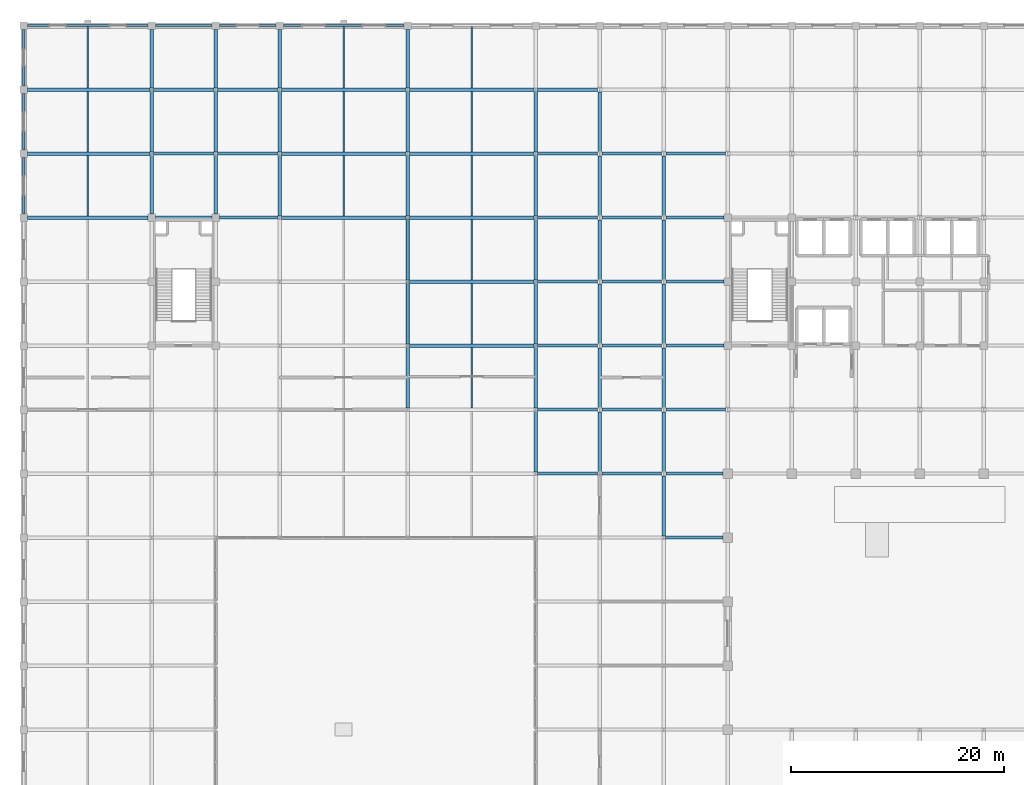
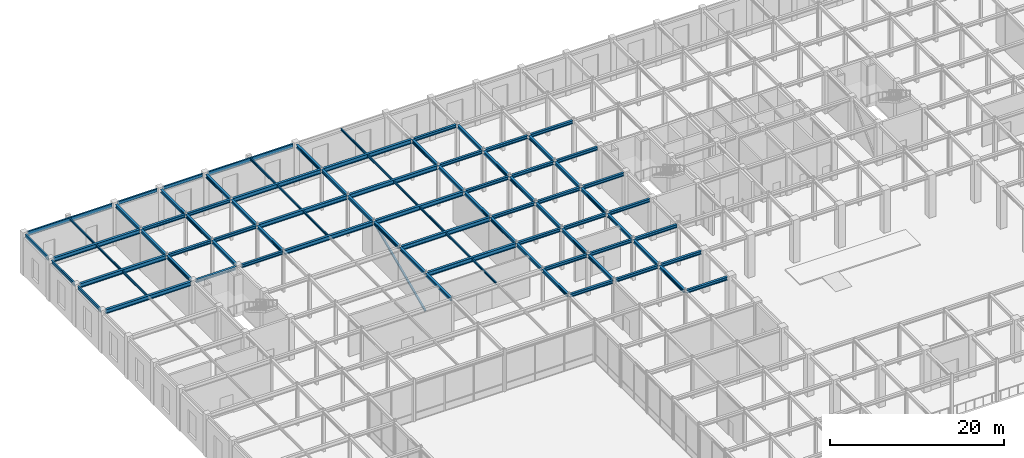
# One storey, part 75 of 108: 89 beams, 1 member.
"""IFC4 building model written with IfcOpenShell, lengths in metres."""

from ifc_helpers import new_model, si_unit, direction, frame, origin, origin_2d, place, context, subcontext, project, spatial, hollow_rectangle, i_section, extrude, material, material_profile, profile_set, type_object, element, save


model = new_model("IFC4")

# Units and contexts
model_context = context("Model", 3, precision=1e-05, world=origin(), true_north=direction((0.0, 1.0)))
body_context = subcontext(model_context, "Body", "Model", "MODEL_VIEW")
ifc_project = project(units=[si_unit("LENGTHUNIT", "METRE"), si_unit("AREAUNIT", "SQUARE_METRE"), si_unit("VOLUMEUNIT", "CUBIC_METRE"), si_unit("PLANEANGLEUNIT", "RADIAN"), si_unit("MASSUNIT", "GRAM", prefix="KILO")], contexts=[model_context])

# Site, building, storey
site_placement = place(None, origin())
site = spatial("IfcSite", under=ifc_project, at=site_placement, CompositionType="ELEMENT")
building_placement = place(site_placement, origin())
building = spatial("IfcBuilding", under=site, at=building_placement, Name="Zlatovratsky Civic Hall", CompositionType="ELEMENT")
storey_placement = place(building_placement, frame((0.0, 0.0, 6.0)))
storey = spatial("IfcBuildingStorey", under=building, at=storey_placement, Name="L02", CompositionType="ELEMENT", Elevation=6.0)

# Beams
ifc_material = material(Name="Steel S355", Category="steel")
ifc_material_profile_1 = material_profile(ifc_material, i_section(OverallWidth=0.320068359375, OverallDepth=0.58203125, WebThickness=0.011962890625, FlangeThickness=0.01708984375, FilletRadius=0.02392578125, at=origin_2d()), Name="60Sh1")
ifc_profile_set_1 = profile_set([ifc_material_profile_1], Name="Steel S355")
beam_type_1 = type_object("IfcBeamType", Name="Beam_PodiumGirder_60Sh1", PredefinedType="BEAM", material=ifc_profile_set_1)
for number, where, z_axis, x_axis, name in (
    (1, (36.14990234375, 84.0, 5.468994140625), (1.0, 0.0, 0.0), (0.0, 1.0, 0.0), "BM-1933"),
    (2, (36.14990234375, 90.0, 5.468994140625), (1.0, 0.0, 0.0), (0.0, 1.0, 0.0), "BM-1954"),
):
    element("IfcBeam", number, at=place(storey_placement, frame(where, z_axis=z_axis, x_axis=x_axis)), inside=storey, type_object=beam_type_1, Name=name, PredefinedType="BEAM", context=body_context, shape_type="SweptSolid", body=[
        extrude(i_section(OverallWidth=0.320068359375, OverallDepth=0.58203125, WebThickness=0.011962890625, FlangeThickness=0.01708984375, FilletRadius=0.02392578125, at=origin_2d()), origin(), (0.0, 0.0, 1.0), 11.7001953125),
    ])
beam_1_placement = place(storey_placement, frame((0.35009765625, 96.0, 5.468994140625), z_axis=(1.0, 0.0, 0.0), x_axis=(0.0, 1.0, 0.0)))
element("IfcBeam", 3, at=beam_1_placement, inside=storey, type_object=beam_type_1, Name="BM-1969", PredefinedType="BEAM", context=body_context, shape_type="SweptSolid", body=[
    extrude(i_section(OverallWidth=0.320068359375, OverallDepth=0.58203125, WebThickness=0.011962890625, FlangeThickness=0.01708984375, FilletRadius=0.02392578125, at=origin_2d()), origin(), (0.0, 0.0, 1.0), 11.2998046875),
])
for number, where, z_axis, x_axis, name in (
    (4, (24.14990234375, 96.0, 5.468994140625), (1.0, 0.0, 0.0), (0.0, 1.0, 0.0), "BM-1972"),
    (5, (36.14990234375, 96.0, 5.468994140625), (1.0, 0.0, 0.0), (0.0, 1.0, 0.0), "BM-1973"),
):
    element("IfcBeam", number, at=place(storey_placement, frame(where, z_axis=z_axis, x_axis=x_axis)), inside=storey, type_object=beam_type_1, Name=name, PredefinedType="BEAM", context=body_context, shape_type="SweptSolid", body=[
        extrude(i_section(OverallWidth=0.320068359375, OverallDepth=0.58203125, WebThickness=0.011962890625, FlangeThickness=0.01708984375, FilletRadius=0.02392578125, at=origin_2d()), origin(), (0.0, 0.0, 1.0), 11.7001953125),
    ])
beam_2_placement = place(storey_placement, frame((0.35009765625, 102.0, 5.468994140625), z_axis=(1.0, 0.0, 0.0), x_axis=(0.0, 1.0, 0.0)))
element("IfcBeam", 6, at=beam_2_placement, inside=storey, type_object=beam_type_1, Name="BM-1991", PredefinedType="BEAM", context=body_context, shape_type="SweptSolid", body=[
    extrude(i_section(OverallWidth=0.320068359375, OverallDepth=0.58203125, WebThickness=0.011962890625, FlangeThickness=0.01708984375, FilletRadius=0.02392578125, at=origin_2d()), origin(), (0.0, 0.0, 1.0), 11.5),
])
for number, where, z_axis, x_axis, name in (
    (7, (24.14990234375, 102.0, 5.468994140625), (1.0, 0.0, 0.0), (0.0, 1.0, 0.0), "BM-1994"),
    (8, (36.14990234375, 102.0, 5.468994140625), (1.0, 0.0, 0.0), (0.0, 1.0, 0.0), "BM-1995"),
):
    element("IfcBeam", number, at=place(storey_placement, frame(where, z_axis=z_axis, x_axis=x_axis)), inside=storey, type_object=beam_type_1, Name=name, PredefinedType="BEAM", context=body_context, shape_type="SweptSolid", body=[
        extrude(i_section(OverallWidth=0.320068359375, OverallDepth=0.58203125, WebThickness=0.011962890625, FlangeThickness=0.01708984375, FilletRadius=0.02392578125, at=origin_2d()), origin(), (0.0, 0.0, 1.0), 11.7001953125),
    ])
beam_3_placement = place(storey_placement, frame((0.35009765625, 108.0, 5.468994140625), z_axis=(1.0, 0.0, 0.0), x_axis=(0.0, 1.0, 0.0)))
element("IfcBeam", 9, at=beam_3_placement, inside=storey, type_object=beam_type_1, Name="BM-2013", PredefinedType="BEAM", context=body_context, shape_type="SweptSolid", body=[
    extrude(i_section(OverallWidth=0.320068359375, OverallDepth=0.58203125, WebThickness=0.011962890625, FlangeThickness=0.01708984375, FilletRadius=0.02392578125, at=origin_2d()), origin(), (0.0, 0.0, 1.0), 11.5),
])
for number, where, z_axis, x_axis, name in (
    (10, (24.14990234375, 108.0, 5.468994140625), (1.0, 0.0, 0.0), (0.0, 1.0, 0.0), "BM-2016"),
    (11, (36.14990234375, 108.0, 5.468994140625), (1.0, 0.0, 0.0), (0.0, 1.0, 0.0), "BM-2017"),
):
    element("IfcBeam", number, at=place(storey_placement, frame(where, z_axis=z_axis, x_axis=x_axis)), inside=storey, type_object=beam_type_1, Name=name, PredefinedType="BEAM", context=body_context, shape_type="SweptSolid", body=[
        extrude(i_section(OverallWidth=0.320068359375, OverallDepth=0.58203125, WebThickness=0.011962890625, FlangeThickness=0.01708984375, FilletRadius=0.02392578125, at=origin_2d()), origin(), (0.0, 0.0, 1.0), 11.7001953125),
    ])
ifc_material_profile_2 = material_profile(ifc_material, i_section(OverallWidth=0.198974609375, OverallDepth=0.491943359375, WebThickness=0.0087890625, FlangeThickness=0.011962890625, FilletRadius=0.01611328125, at=origin_2d()), Name="50B1")
ifc_profile_set_2 = profile_set([ifc_material_profile_2], Name="Steel S355")
beam_type_2 = type_object("IfcBeamType", Name="Beam_Spandrel_50B1", PredefinedType="SPANDREL", material=ifc_profile_set_2)
for number, where, z_axis, x_axis, name in (
    (12, (12.35009765625, 114.0, 5.513916015625), (1.0, 0.0, 0.0), (0.0, 1.0, 0.0), "BM-2036"),
    (13, (18.35009765625, 114.0, 5.513916015625), (1.0, 0.0, 0.0), (0.0, 1.0, 0.0), "BM-2037"),
    (14, (0.0, 96.35009765625, 5.513916015625), (0.0, 1.0, 0.0), (-1.0, 0.0, 0.0), "BM-2071"),
    (15, (0.0, 102.35009765625, 5.513916015625), (0.0, 1.0, 0.0), (-1.0, 0.0, 0.0), "BM-2072"),
    (16, (0.0, 108.35009765625, 5.513916015625), (0.0, 1.0, 0.0), (-1.0, 0.0, 0.0), "BM-2073"),
):
    element("IfcBeam", number, at=place(storey_placement, frame(where, z_axis=z_axis, x_axis=x_axis)), inside=storey, type_object=beam_type_2, Name=name, PredefinedType="SPANDREL", context=body_context, shape_type="SweptSolid", body=[
        extrude(i_section(OverallWidth=0.198974609375, OverallDepth=0.491943359375, WebThickness=0.0087890625, FlangeThickness=0.011962890625, FilletRadius=0.01611328125, at=origin_2d()), origin(), (0.0, 0.0, 1.0), 5.2998046875),
    ])
ifc_material_profile_3 = material_profile(ifc_material, i_section(OverallWidth=0.198974609375, OverallDepth=0.593017578125, WebThickness=0.010498046875, FlangeThickness=0.014892578125, FilletRadius=0.01806640625, at=origin_2d()), Name="60B1")
ifc_profile_set_3 = profile_set([ifc_material_profile_3], Name="Steel S355")
beam_type_3 = type_object("IfcBeamType", Name="Beam_Spandrel_60B1", PredefinedType="SPANDREL", material=ifc_profile_set_3)
for number, where, z_axis, x_axis, name in (
    (17, (0.35009765625, 114.0, 5.46337890625), (1.0, 0.0, 0.0), (0.0, 1.0, 0.0), "BM-2035"),
    (18, (24.35009765625, 114.0, 5.46337890625), (1.0, 0.0, 0.0), (0.0, 1.0, 0.0), "BM-2038"),
):
    element("IfcBeam", number, at=place(storey_placement, frame(where, z_axis=z_axis, x_axis=x_axis)), inside=storey, type_object=beam_type_3, Name=name, PredefinedType="SPANDREL", context=body_context, shape_type="SweptSolid", body=[
        extrude(i_section(OverallWidth=0.198974609375, OverallDepth=0.593017578125, WebThickness=0.010498046875, FlangeThickness=0.014892578125, FilletRadius=0.01806640625, at=origin_2d()), origin(), (0.0, 0.0, 1.0), 11.2998046875),
    ])
ifc_material_profile_4 = material_profile(ifc_material, i_section(OverallWidth=0.300048828125, OverallDepth=0.43994140625, WebThickness=0.010986328125, FlangeThickness=0.01806640625, FilletRadius=0.02197265625, at=origin_2d()), Name="45Sh1")
ifc_profile_set_4 = profile_set([ifc_material_profile_4], Name="Steel S355")
beam_type_4 = type_object("IfcBeamType", Name="Beam_TowerLow_45Sh1", PredefinedType="BEAM", material=ifc_profile_set_4)
beam_4_placement = place(storey_placement, frame((60.14990234375, 66.0, 5.5400390625), z_axis=(1.0, 0.0, 0.0), x_axis=(0.0, 1.0, 0.0)))
element("IfcBeam", 19, at=beam_4_placement, inside=storey, type_object=beam_type_4, Name="BM-1876", PredefinedType="BEAM", context=body_context, shape_type="SweptSolid", body=[
    extrude(i_section(OverallWidth=0.300048828125, OverallDepth=0.43994140625, WebThickness=0.010986328125, FlangeThickness=0.01806640625, FilletRadius=0.02197265625, at=origin_2d()), origin(), (0.0, 0.0, 1.0), 5.400146484375),
])
beam_5_placement = place(storey_placement, frame((48.14990234375, 72.0, 5.5400390625), z_axis=(1.0, 0.0, 0.0), x_axis=(0.0, 1.0, 0.0)))
element("IfcBeam", 20, at=beam_5_placement, inside=storey, type_object=beam_type_4, Name="BM-1890", PredefinedType="BEAM", context=body_context, shape_type="SweptSolid", body=[
    extrude(i_section(OverallWidth=0.300048828125, OverallDepth=0.43994140625, WebThickness=0.010986328125, FlangeThickness=0.01806640625, FilletRadius=0.02197265625, at=origin_2d()), origin(), (0.0, 0.0, 1.0), 5.647705078125),
])
beam_6_placement = place(storey_placement, frame((54.202392578125, 72.0, 5.5400390625), z_axis=(1.0, 0.0, 0.0), x_axis=(0.0, 1.0, 0.0)))
element("IfcBeam", 21, at=beam_6_placement, inside=storey, type_object=beam_type_4, Name="BM-1891", PredefinedType="BEAM", context=body_context, shape_type="SweptSolid", body=[
    extrude(i_section(OverallWidth=0.300048828125, OverallDepth=0.43994140625, WebThickness=0.010986328125, FlangeThickness=0.01806640625, FilletRadius=0.02197265625, at=origin_2d()), origin(), (0.0, 0.0, 1.0), 5.59521484375),
])
beam_7_placement = place(storey_placement, frame((60.202392578125, 72.0, 5.5400390625), z_axis=(1.0, 0.0, 0.0), x_axis=(0.0, 1.0, 0.0)))
element("IfcBeam", 22, at=beam_7_placement, inside=storey, type_object=beam_type_4, Name="BM-1892", PredefinedType="BEAM", context=body_context, shape_type="SweptSolid", body=[
    extrude(i_section(OverallWidth=0.300048828125, OverallDepth=0.43994140625, WebThickness=0.010986328125, FlangeThickness=0.01806640625, FilletRadius=0.02197265625, at=origin_2d()), origin(), (0.0, 0.0, 1.0), 5.34765625),
])
beam_8_placement = place(storey_placement, frame((48.14990234375, 78.0, 5.5400390625), z_axis=(1.0, 0.0, 0.0), x_axis=(0.0, 1.0, 0.0)))
element("IfcBeam", 23, at=beam_8_placement, inside=storey, type_object=beam_type_4, Name="BM-1912", PredefinedType="BEAM", context=body_context, shape_type="SweptSolid", body=[
    extrude(i_section(OverallWidth=0.300048828125, OverallDepth=0.43994140625, WebThickness=0.010986328125, FlangeThickness=0.01806640625, FilletRadius=0.02197265625, at=origin_2d()), origin(), (0.0, 0.0, 1.0), 5.647705078125),
])
for number, where, z_axis, x_axis, name in (
    (24, (54.202392578125, 78.0, 5.5400390625), (1.0, 0.0, 0.0), (0.0, 1.0, 0.0), "BM-1913"),
    (25, (60.202392578125, 78.0, 5.5400390625), (1.0, 0.0, 0.0), (0.0, 1.0, 0.0), "BM-1914"),
):
    element("IfcBeam", number, at=place(storey_placement, frame(where, z_axis=z_axis, x_axis=x_axis)), inside=storey, type_object=beam_type_4, Name=name, PredefinedType="BEAM", context=body_context, shape_type="SweptSolid", body=[
        extrude(i_section(OverallWidth=0.300048828125, OverallDepth=0.43994140625, WebThickness=0.010986328125, FlangeThickness=0.01806640625, FilletRadius=0.02197265625, at=origin_2d()), origin(), (0.0, 0.0, 1.0), 5.59521484375),
    ])
beam_9_placement = place(storey_placement, frame((48.14990234375, 84.0, 5.5400390625), z_axis=(1.0, 0.0, 0.0), x_axis=(0.0, 1.0, 0.0)))
element("IfcBeam", 26, at=beam_9_placement, inside=storey, type_object=beam_type_4, Name="BM-1934", PredefinedType="BEAM", context=body_context, shape_type="SweptSolid", body=[
    extrude(i_section(OverallWidth=0.300048828125, OverallDepth=0.43994140625, WebThickness=0.010986328125, FlangeThickness=0.01806640625, FilletRadius=0.02197265625, at=origin_2d()), origin(), (0.0, 0.0, 1.0), 5.647705078125),
])
beam_10_placement = place(storey_placement, frame((54.202392578125, 84.0, 5.5400390625), z_axis=(1.0, 0.0, 0.0), x_axis=(0.0, 1.0, 0.0)))
element("IfcBeam", 27, at=beam_10_placement, inside=storey, type_object=beam_type_4, Name="BM-1935", PredefinedType="BEAM", context=body_context, shape_type="SweptSolid", body=[
    extrude(i_section(OverallWidth=0.300048828125, OverallDepth=0.43994140625, WebThickness=0.010986328125, FlangeThickness=0.01806640625, FilletRadius=0.02197265625, at=origin_2d()), origin(), (0.0, 0.0, 1.0), 5.59521484375),
])
beam_11_placement = place(storey_placement, frame((60.202392578125, 84.0, 5.5400390625), z_axis=(1.0, 0.0, 0.0), x_axis=(0.0, 1.0, 0.0)))
element("IfcBeam", 28, at=beam_11_placement, inside=storey, type_object=beam_type_4, Name="BM-1936", PredefinedType="BEAM", context=body_context, shape_type="SweptSolid", body=[
    extrude(i_section(OverallWidth=0.300048828125, OverallDepth=0.43994140625, WebThickness=0.010986328125, FlangeThickness=0.01806640625, FilletRadius=0.02197265625, at=origin_2d()), origin(), (0.0, 0.0, 1.0), 5.447509765625),
])
beam_12_placement = place(storey_placement, frame((48.14990234375, 90.0, 5.5400390625), z_axis=(1.0, 0.0, 0.0), x_axis=(0.0, 1.0, 0.0)))
element("IfcBeam", 29, at=beam_12_placement, inside=storey, type_object=beam_type_4, Name="BM-1955", PredefinedType="BEAM", context=body_context, shape_type="SweptSolid", body=[
    extrude(i_section(OverallWidth=0.300048828125, OverallDepth=0.43994140625, WebThickness=0.010986328125, FlangeThickness=0.01806640625, FilletRadius=0.02197265625, at=origin_2d()), origin(), (0.0, 0.0, 1.0), 5.647705078125),
])
beam_13_placement = place(storey_placement, frame((54.202392578125, 90.0, 5.5400390625), z_axis=(1.0, 0.0, 0.0), x_axis=(0.0, 1.0, 0.0)))
element("IfcBeam", 30, at=beam_13_placement, inside=storey, type_object=beam_type_4, Name="BM-1956", PredefinedType="BEAM", context=body_context, shape_type="SweptSolid", body=[
    extrude(i_section(OverallWidth=0.300048828125, OverallDepth=0.43994140625, WebThickness=0.010986328125, FlangeThickness=0.01806640625, FilletRadius=0.02197265625, at=origin_2d()), origin(), (0.0, 0.0, 1.0), 5.59521484375),
])
beam_14_placement = place(storey_placement, frame((60.202392578125, 90.0, 5.5400390625), z_axis=(1.0, 0.0, 0.0), x_axis=(0.0, 1.0, 0.0)))
element("IfcBeam", 31, at=beam_14_placement, inside=storey, type_object=beam_type_4, Name="BM-1957", PredefinedType="BEAM", context=body_context, shape_type="SweptSolid", body=[
    extrude(i_section(OverallWidth=0.300048828125, OverallDepth=0.43994140625, WebThickness=0.010986328125, FlangeThickness=0.01806640625, FilletRadius=0.02197265625, at=origin_2d()), origin(), (0.0, 0.0, 1.0), 5.447509765625),
])
beam_15_placement = place(storey_placement, frame((12.35009765625, 96.0, 5.5400390625), z_axis=(1.0, 0.0, 0.0), x_axis=(0.0, 1.0, 0.0)))
element("IfcBeam", 32, at=beam_15_placement, inside=storey, type_object=beam_type_4, Name="BM-1970", PredefinedType="BEAM", context=body_context, shape_type="SweptSolid", body=[
    extrude(i_section(OverallWidth=0.300048828125, OverallDepth=0.43994140625, WebThickness=0.010986328125, FlangeThickness=0.01806640625, FilletRadius=0.02197265625, at=origin_2d()), origin(), (0.0, 0.0, 1.0), 5.2998046875),
])
beam_16_placement = place(storey_placement, frame((18.35009765625, 96.0, 5.5400390625), z_axis=(1.0, 0.0, 0.0), x_axis=(0.0, 1.0, 0.0)))
element("IfcBeam", 33, at=beam_16_placement, inside=storey, type_object=beam_type_4, Name="BM-1971", PredefinedType="BEAM", context=body_context, shape_type="SweptSolid", body=[
    extrude(i_section(OverallWidth=0.300048828125, OverallDepth=0.43994140625, WebThickness=0.010986328125, FlangeThickness=0.01806640625, FilletRadius=0.02197265625, at=origin_2d()), origin(), (0.0, 0.0, 1.0), 5.5),
])
beam_17_placement = place(storey_placement, frame((48.14990234375, 96.0, 5.5400390625), z_axis=(1.0, 0.0, 0.0), x_axis=(0.0, 1.0, 0.0)))
element("IfcBeam", 34, at=beam_17_placement, inside=storey, type_object=beam_type_4, Name="BM-1974", PredefinedType="BEAM", context=body_context, shape_type="SweptSolid", body=[
    extrude(i_section(OverallWidth=0.300048828125, OverallDepth=0.43994140625, WebThickness=0.010986328125, FlangeThickness=0.01806640625, FilletRadius=0.02197265625, at=origin_2d()), origin(), (0.0, 0.0, 1.0), 5.647705078125),
])
beam_18_placement = place(storey_placement, frame((54.202392578125, 96.0, 5.5400390625), z_axis=(1.0, 0.0, 0.0), x_axis=(0.0, 1.0, 0.0)))
element("IfcBeam", 35, at=beam_18_placement, inside=storey, type_object=beam_type_4, Name="BM-1975", PredefinedType="BEAM", context=body_context, shape_type="SweptSolid", body=[
    extrude(i_section(OverallWidth=0.300048828125, OverallDepth=0.43994140625, WebThickness=0.010986328125, FlangeThickness=0.01806640625, FilletRadius=0.02197265625, at=origin_2d()), origin(), (0.0, 0.0, 1.0), 5.59521484375),
])
beam_19_placement = place(storey_placement, frame((60.202392578125, 96.0, 5.5400390625), z_axis=(1.0, 0.0, 0.0), x_axis=(0.0, 1.0, 0.0)))
element("IfcBeam", 36, at=beam_19_placement, inside=storey, type_object=beam_type_4, Name="BM-1976", PredefinedType="BEAM", context=body_context, shape_type="SweptSolid", body=[
    extrude(i_section(OverallWidth=0.300048828125, OverallDepth=0.43994140625, WebThickness=0.010986328125, FlangeThickness=0.01806640625, FilletRadius=0.02197265625, at=origin_2d()), origin(), (0.0, 0.0, 1.0), 5.447509765625),
])
for number, where, z_axis, x_axis, name in (
    (37, (12.14990234375, 102.0, 5.5400390625), (1.0, 0.0, 0.0), (0.0, 1.0, 0.0), "BM-1992"),
    (38, (18.14990234375, 102.0, 5.5400390625), (1.0, 0.0, 0.0), (0.0, 1.0, 0.0), "BM-1993"),
):
    element("IfcBeam", number, at=place(storey_placement, frame(where, z_axis=z_axis, x_axis=x_axis)), inside=storey, type_object=beam_type_4, Name=name, PredefinedType="BEAM", context=body_context, shape_type="SweptSolid", body=[
        extrude(i_section(OverallWidth=0.300048828125, OverallDepth=0.43994140625, WebThickness=0.010986328125, FlangeThickness=0.01806640625, FilletRadius=0.02197265625, at=origin_2d()), origin(), (0.0, 0.0, 1.0), 5.7001953125),
    ])
beam_20_placement = place(storey_placement, frame((48.14990234375, 102.0, 5.5400390625), z_axis=(1.0, 0.0, 0.0), x_axis=(0.0, 1.0, 0.0)))
element("IfcBeam", 39, at=beam_20_placement, inside=storey, type_object=beam_type_4, Name="BM-1996", PredefinedType="BEAM", context=body_context, shape_type="SweptSolid", body=[
    extrude(i_section(OverallWidth=0.300048828125, OverallDepth=0.43994140625, WebThickness=0.010986328125, FlangeThickness=0.01806640625, FilletRadius=0.02197265625, at=origin_2d()), origin(), (0.0, 0.0, 1.0), 5.647705078125),
])
for number, where, z_axis, x_axis, name in (
    (40, (54.202392578125, 102.0, 5.5400390625), (1.0, 0.0, 0.0), (0.0, 1.0, 0.0), "BM-1997"),
    (41, (60.202392578125, 102.0, 5.5400390625), (1.0, 0.0, 0.0), (0.0, 1.0, 0.0), "BM-1998"),
):
    element("IfcBeam", number, at=place(storey_placement, frame(where, z_axis=z_axis, x_axis=x_axis)), inside=storey, type_object=beam_type_4, Name=name, PredefinedType="BEAM", context=body_context, shape_type="SweptSolid", body=[
        extrude(i_section(OverallWidth=0.300048828125, OverallDepth=0.43994140625, WebThickness=0.010986328125, FlangeThickness=0.01806640625, FilletRadius=0.02197265625, at=origin_2d()), origin(), (0.0, 0.0, 1.0), 5.59521484375),
    ])
for number, where, z_axis, x_axis, name in (
    (42, (12.14990234375, 108.0, 5.5400390625), (1.0, 0.0, 0.0), (0.0, 1.0, 0.0), "BM-2014"),
    (43, (18.14990234375, 108.0, 5.5400390625), (1.0, 0.0, 0.0), (0.0, 1.0, 0.0), "BM-2015"),
):
    element("IfcBeam", number, at=place(storey_placement, frame(where, z_axis=z_axis, x_axis=x_axis)), inside=storey, type_object=beam_type_4, Name=name, PredefinedType="BEAM", context=body_context, shape_type="SweptSolid", body=[
        extrude(i_section(OverallWidth=0.300048828125, OverallDepth=0.43994140625, WebThickness=0.010986328125, FlangeThickness=0.01806640625, FilletRadius=0.02197265625, at=origin_2d()), origin(), (0.0, 0.0, 1.0), 5.7001953125),
    ])
beam_21_placement = place(storey_placement, frame((48.14990234375, 108.0, 5.5400390625), z_axis=(1.0, 0.0, 0.0), x_axis=(0.0, 1.0, 0.0)))
element("IfcBeam", 44, at=beam_21_placement, inside=storey, type_object=beam_type_4, Name="BM-2018", PredefinedType="BEAM", context=body_context, shape_type="SweptSolid", body=[
    extrude(i_section(OverallWidth=0.300048828125, OverallDepth=0.43994140625, WebThickness=0.010986328125, FlangeThickness=0.01806640625, FilletRadius=0.02197265625, at=origin_2d()), origin(), (0.0, 0.0, 1.0), 5.647705078125),
])
beam_22_placement = place(storey_placement, frame((12.0, 96.35009765625, 5.5400390625), z_axis=(0.0, 1.0, 0.0), x_axis=(-1.0, 0.0, 0.0)))
element("IfcBeam", 45, at=beam_22_placement, inside=storey, type_object=beam_type_4, Name="BM-2088", PredefinedType="BEAM", context=body_context, shape_type="SweptSolid", body=[
    extrude(i_section(OverallWidth=0.300048828125, OverallDepth=0.43994140625, WebThickness=0.010986328125, FlangeThickness=0.01806640625, FilletRadius=0.02197265625, at=origin_2d()), origin(), (0.0, 0.0, 1.0), 5.5),
])
beam_23_placement = place(storey_placement, frame((12.0, 102.14990234375, 5.5400390625), z_axis=(0.0, 1.0, 0.0), x_axis=(-1.0, 0.0, 0.0)))
element("IfcBeam", 46, at=beam_23_placement, inside=storey, type_object=beam_type_4, Name="BM-2089", PredefinedType="BEAM", context=body_context, shape_type="SweptSolid", body=[
    extrude(i_section(OverallWidth=0.300048828125, OverallDepth=0.43994140625, WebThickness=0.010986328125, FlangeThickness=0.01806640625, FilletRadius=0.02197265625, at=origin_2d()), origin(), (0.0, 0.0, 1.0), 5.7001953125),
])
for number, where, z_axis, x_axis, name in (
    (47, (12.0, 108.14990234375, 5.5400390625), (0.0, 1.0, 0.0), (-1.0, 0.0, 0.0), "BM-2090"),
    (48, (18.0, 96.35009765625, 5.5400390625), (0.0, 1.0, 0.0), (-1.0, 0.0, 0.0), "BM-2105"),
):
    element("IfcBeam", number, at=place(storey_placement, frame(where, z_axis=z_axis, x_axis=x_axis)), inside=storey, type_object=beam_type_4, Name=name, PredefinedType="BEAM", context=body_context, shape_type="SweptSolid", body=[
        extrude(i_section(OverallWidth=0.300048828125, OverallDepth=0.43994140625, WebThickness=0.010986328125, FlangeThickness=0.01806640625, FilletRadius=0.02197265625, at=origin_2d()), origin(), (0.0, 0.0, 1.0), 5.5),
    ])
beam_24_placement = place(storey_placement, frame((18.0, 102.14990234375, 5.5400390625), z_axis=(0.0, 1.0, 0.0), x_axis=(-1.0, 0.0, 0.0)))
element("IfcBeam", 49, at=beam_24_placement, inside=storey, type_object=beam_type_4, Name="BM-2106", PredefinedType="BEAM", context=body_context, shape_type="SweptSolid", body=[
    extrude(i_section(OverallWidth=0.300048828125, OverallDepth=0.43994140625, WebThickness=0.010986328125, FlangeThickness=0.01806640625, FilletRadius=0.02197265625, at=origin_2d()), origin(), (0.0, 0.0, 1.0), 5.7001953125),
])
beam_25_placement = place(storey_placement, frame((18.0, 108.14990234375, 5.5400390625), z_axis=(0.0, 1.0, 0.0), x_axis=(-1.0, 0.0, 0.0)))
element("IfcBeam", 50, at=beam_25_placement, inside=storey, type_object=beam_type_4, Name="BM-2107", PredefinedType="BEAM", context=body_context, shape_type="SweptSolid", body=[
    extrude(i_section(OverallWidth=0.300048828125, OverallDepth=0.43994140625, WebThickness=0.010986328125, FlangeThickness=0.01806640625, FilletRadius=0.02197265625, at=origin_2d()), origin(), (0.0, 0.0, 1.0), 5.5),
])
for number, where, z_axis, x_axis, name in (
    (51, (24.0, 96.14990234375, 5.5400390625), (0.0, 1.0, 0.0), (-1.0, 0.0, 0.0), "BM-2116"),
    (52, (24.0, 102.14990234375, 5.5400390625), (0.0, 1.0, 0.0), (-1.0, 0.0, 0.0), "BM-2117"),
):
    element("IfcBeam", number, at=place(storey_placement, frame(where, z_axis=z_axis, x_axis=x_axis)), inside=storey, type_object=beam_type_4, Name=name, PredefinedType="BEAM", context=body_context, shape_type="SweptSolid", body=[
        extrude(i_section(OverallWidth=0.300048828125, OverallDepth=0.43994140625, WebThickness=0.010986328125, FlangeThickness=0.01806640625, FilletRadius=0.02197265625, at=origin_2d()), origin(), (0.0, 0.0, 1.0), 5.7001953125),
    ])
beam_26_placement = place(storey_placement, frame((24.0, 108.14990234375, 5.5400390625), z_axis=(0.0, 1.0, 0.0), x_axis=(-1.0, 0.0, 0.0)))
element("IfcBeam", 53, at=beam_26_placement, inside=storey, type_object=beam_type_4, Name="BM-2118", PredefinedType="BEAM", context=body_context, shape_type="SweptSolid", body=[
    extrude(i_section(OverallWidth=0.300048828125, OverallDepth=0.43994140625, WebThickness=0.010986328125, FlangeThickness=0.01806640625, FilletRadius=0.02197265625, at=origin_2d()), origin(), (0.0, 0.0, 1.0), 5.5),
])
for number, where, z_axis, x_axis, name in (
    (54, (36.0, 78.14990234375, 5.5400390625), (0.0, 1.0, 0.0), (-1.0, 0.0, 0.0), "BM-2124"),
    (55, (36.0, 84.14990234375, 5.5400390625), (0.0, 1.0, 0.0), (-1.0, 0.0, 0.0), "BM-2125"),
    (56, (36.0, 90.14990234375, 5.5400390625), (0.0, 1.0, 0.0), (-1.0, 0.0, 0.0), "BM-2126"),
    (57, (36.0, 96.14990234375, 5.5400390625), (0.0, 1.0, 0.0), (-1.0, 0.0, 0.0), "BM-2127"),
    (58, (36.0, 102.14990234375, 5.5400390625), (0.0, 1.0, 0.0), (-1.0, 0.0, 0.0), "BM-2128"),
):
    element("IfcBeam", number, at=place(storey_placement, frame(where, z_axis=z_axis, x_axis=x_axis)), inside=storey, type_object=beam_type_4, Name=name, PredefinedType="BEAM", context=body_context, shape_type="SweptSolid", body=[
        extrude(i_section(OverallWidth=0.300048828125, OverallDepth=0.43994140625, WebThickness=0.010986328125, FlangeThickness=0.01806640625, FilletRadius=0.02197265625, at=origin_2d()), origin(), (0.0, 0.0, 1.0), 5.7001953125),
    ])
beam_27_placement = place(storey_placement, frame((36.0, 108.14990234375, 5.5400390625), z_axis=(0.0, 1.0, 0.0), x_axis=(-1.0, 0.0, 0.0)))
element("IfcBeam", 59, at=beam_27_placement, inside=storey, type_object=beam_type_4, Name="BM-2129", PredefinedType="BEAM", context=body_context, shape_type="SweptSolid", body=[
    extrude(i_section(OverallWidth=0.300048828125, OverallDepth=0.43994140625, WebThickness=0.010986328125, FlangeThickness=0.01806640625, FilletRadius=0.02197265625, at=origin_2d()), origin(), (0.0, 0.0, 1.0), 5.5),
])
for number, where, z_axis, x_axis, name in (
    (60, (48.0, 72.14990234375, 5.5400390625), (0.0, 1.0, 0.0), (-1.0, 0.0, 0.0), "BM-2140"),
    (61, (48.0, 78.14990234375, 5.5400390625), (0.0, 1.0, 0.0), (-1.0, 0.0, 0.0), "BM-2141"),
    (62, (48.0, 84.14990234375, 5.5400390625), (0.0, 1.0, 0.0), (-1.0, 0.0, 0.0), "BM-2142"),
    (63, (48.0, 90.14990234375, 5.5400390625), (0.0, 1.0, 0.0), (-1.0, 0.0, 0.0), "BM-2143"),
    (64, (48.0, 96.14990234375, 5.5400390625), (0.0, 1.0, 0.0), (-1.0, 0.0, 0.0), "BM-2144"),
    (65, (48.0, 102.14990234375, 5.5400390625), (0.0, 1.0, 0.0), (-1.0, 0.0, 0.0), "BM-2145"),
):
    element("IfcBeam", number, at=place(storey_placement, frame(where, z_axis=z_axis, x_axis=x_axis)), inside=storey, type_object=beam_type_4, Name=name, PredefinedType="BEAM", context=body_context, shape_type="SweptSolid", body=[
        extrude(i_section(OverallWidth=0.300048828125, OverallDepth=0.43994140625, WebThickness=0.010986328125, FlangeThickness=0.01806640625, FilletRadius=0.02197265625, at=origin_2d()), origin(), (0.0, 0.0, 1.0), 5.7001953125),
    ])
for number, where, z_axis, x_axis, name in (
    (66, (54.0, 72.208984375, 5.5400390625), (0.0, 1.0, 0.0), (-1.0, 0.0, 0.0), "BM-2157"),
    (67, (54.0, 78.208984375, 5.5400390625), (0.0, 1.0, 0.0), (-1.0, 0.0, 0.0), "BM-2158"),
    (68, (54.0, 84.208984375, 5.5400390625), (0.0, 1.0, 0.0), (-1.0, 0.0, 0.0), "BM-2159"),
    (69, (54.0, 90.208984375, 5.5400390625), (0.0, 1.0, 0.0), (-1.0, 0.0, 0.0), "BM-2160"),
    (70, (54.0, 96.208984375, 5.5400390625), (0.0, 1.0, 0.0), (-1.0, 0.0, 0.0), "BM-2161"),
    (71, (54.0, 102.208984375, 5.5400390625), (0.0, 1.0, 0.0), (-1.0, 0.0, 0.0), "BM-2162"),
):
    element("IfcBeam", number, at=place(storey_placement, frame(where, z_axis=z_axis, x_axis=x_axis)), inside=storey, type_object=beam_type_4, Name=name, PredefinedType="BEAM", context=body_context, shape_type="SweptSolid", body=[
        extrude(i_section(OverallWidth=0.300048828125, OverallDepth=0.43994140625, WebThickness=0.010986328125, FlangeThickness=0.01806640625, FilletRadius=0.02197265625, at=origin_2d()), origin(), (0.0, 0.0, 1.0), 5.58203125),
    ])
beam_28_placement = place(storey_placement, frame((60.0, 66.14990234375, 5.5400390625), z_axis=(0.0, 1.0, 0.0), x_axis=(-1.0, 0.0, 0.0)))
element("IfcBeam", 72, at=beam_28_placement, inside=storey, type_object=beam_type_4, Name="BM-2172", PredefinedType="BEAM", context=body_context, shape_type="SweptSolid", body=[
    extrude(i_section(OverallWidth=0.300048828125, OverallDepth=0.43994140625, WebThickness=0.010986328125, FlangeThickness=0.01806640625, FilletRadius=0.02197265625, at=origin_2d()), origin(), (0.0, 0.0, 1.0), 5.64111328125),
])
for number, where, z_axis, x_axis, name in (
    (73, (60.0, 72.208984375, 5.5400390625), (0.0, 1.0, 0.0), (-1.0, 0.0, 0.0), "BM-2173"),
    (74, (60.0, 78.208984375, 5.5400390625), (0.0, 1.0, 0.0), (-1.0, 0.0, 0.0), "BM-2174"),
    (75, (60.0, 84.208984375, 5.5400390625), (0.0, 1.0, 0.0), (-1.0, 0.0, 0.0), "BM-2175"),
    (76, (60.0, 90.208984375, 5.5400390625), (0.0, 1.0, 0.0), (-1.0, 0.0, 0.0), "BM-2176"),
    (77, (60.0, 96.208984375, 5.5400390625), (0.0, 1.0, 0.0), (-1.0, 0.0, 0.0), "BM-2177"),
):
    element("IfcBeam", number, at=place(storey_placement, frame(where, z_axis=z_axis, x_axis=x_axis)), inside=storey, type_object=beam_type_4, Name=name, PredefinedType="BEAM", context=body_context, shape_type="SweptSolid", body=[
        extrude(i_section(OverallWidth=0.300048828125, OverallDepth=0.43994140625, WebThickness=0.010986328125, FlangeThickness=0.01806640625, FilletRadius=0.02197265625, at=origin_2d()), origin(), (0.0, 0.0, 1.0), 5.58203125),
    ])

# Member
ifc_material_profile_5 = material_profile(ifc_material, hollow_rectangle(XDim=0.219970703125, YDim=0.219970703125, WallThickness=0.010009765625, at=origin_2d()), Name="SHS 220x220x10")
ifc_profile_set_5 = profile_set([ifc_material_profile_5], Name="Steel S355")
member_type = type_object("IfcMemberType", Name="Brace_Podium_SHS220", PredefinedType="BRACE", material=ifc_profile_set_5)
member_placement = place(storey_placement, frame((36.0, 84.14990234375, 0.25), z_axis=(0.0, 0.913815480127, 0.406129620049), x_axis=(-1.0, 0.0, 0.0)))
element("IfcMember", 78, at=member_placement, inside=storey, type_object=member_type, Name="MB-0106", PredefinedType="BRACE", context=body_context, shape_type="SweptSolid", body=[
    extrude(hollow_rectangle(XDim=0.219970703125, YDim=0.219970703125, WallThickness=0.010009765625, at=origin_2d()), origin(), (0.0, 0.0, 1.0), 12.8037109375),
])

# Beams
ifc_material_profile_6 = material_profile(ifc_material, i_section(OverallWidth=0.14990234375, OverallDepth=0.300048828125, WebThickness=0.006591796875, FlangeThickness=0.009033203125, FilletRadius=0.012939453125, at=origin_2d()), Name="30B2")
ifc_profile_set_6 = profile_set([ifc_material_profile_6], Name="Steel S355")
beam_type_5 = type_object("IfcBeamType", Name="Joist_Podium_30B2", PredefinedType="JOIST", material=ifc_profile_set_6)
for number, where, z_axis, x_axis, name in (
    (79, (42.0, 78.159912109375, 5.610107421875), (0.0, 1.0, 0.0), (-1.0, 0.0, 0.0), "BM-2433"),
    (80, (42.0, 84.159912109375, 5.610107421875), (0.0, 1.0, 0.0), (-1.0, 0.0, 0.0), "BM-2439"),
    (81, (42.0, 90.159912109375, 5.610107421875), (0.0, 1.0, 0.0), (-1.0, 0.0, 0.0), "BM-2445"),
    (82, (6.0, 96.159912109375, 5.610107421875), (0.0, 1.0, 0.0), (-1.0, 0.0, 0.0), "BM-2451"),
    (83, (30.0, 96.159912109375, 5.610107421875), (0.0, 1.0, 0.0), (-1.0, 0.0, 0.0), "BM-2452"),
    (84, (42.0, 96.159912109375, 5.610107421875), (0.0, 1.0, 0.0), (-1.0, 0.0, 0.0), "BM-2453"),
    (85, (6.0, 102.159912109375, 5.610107421875), (0.0, 1.0, 0.0), (-1.0, 0.0, 0.0), "BM-2457"),
    (86, (30.0, 102.159912109375, 5.610107421875), (0.0, 1.0, 0.0), (-1.0, 0.0, 0.0), "BM-2458"),
    (87, (42.0, 102.159912109375, 5.610107421875), (0.0, 1.0, 0.0), (-1.0, 0.0, 0.0), "BM-2459"),
):
    element("IfcBeam", number, at=place(storey_placement, frame(where, z_axis=z_axis, x_axis=x_axis)), inside=storey, type_object=beam_type_5, Name=name, PredefinedType="JOIST", context=body_context, shape_type="SweptSolid", body=[
        extrude(i_section(OverallWidth=0.14990234375, OverallDepth=0.300048828125, WebThickness=0.006591796875, FlangeThickness=0.009033203125, FilletRadius=0.012939453125, at=origin_2d()), origin(), (0.0, 0.0, 1.0), 5.68017578125),
    ])
for number, where, z_axis, x_axis, name in (
    (88, (6.0, 108.159912109375, 5.610107421875), (0.0, 1.0, 0.0), (-1.0, 0.0, 0.0), "BM-2463"),
    (89, (30.0, 108.159912109375, 5.610107421875), (0.0, 1.0, 0.0), (-1.0, 0.0, 0.0), "BM-2464"),
    (90, (42.0, 108.159912109375, 5.610107421875), (0.0, 1.0, 0.0), (-1.0, 0.0, 0.0), "BM-2465"),
):
    element("IfcBeam", number, at=place(storey_placement, frame(where, z_axis=z_axis, x_axis=x_axis)), inside=storey, type_object=beam_type_5, Name=name, PredefinedType="JOIST", context=body_context, shape_type="SweptSolid", body=[
        extrude(i_section(OverallWidth=0.14990234375, OverallDepth=0.300048828125, WebThickness=0.006591796875, FlangeThickness=0.009033203125, FilletRadius=0.012939453125, at=origin_2d()), origin(), (0.0, 0.0, 1.0), 5.740478515625),
    ])

save(model, "model.ifc")
